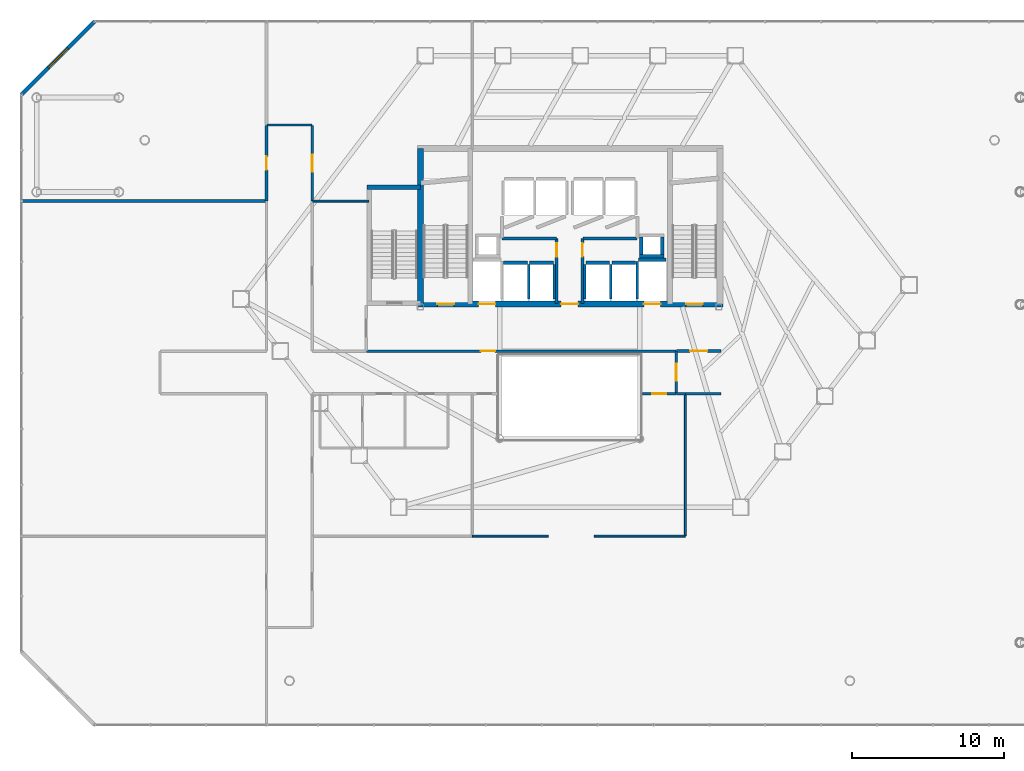
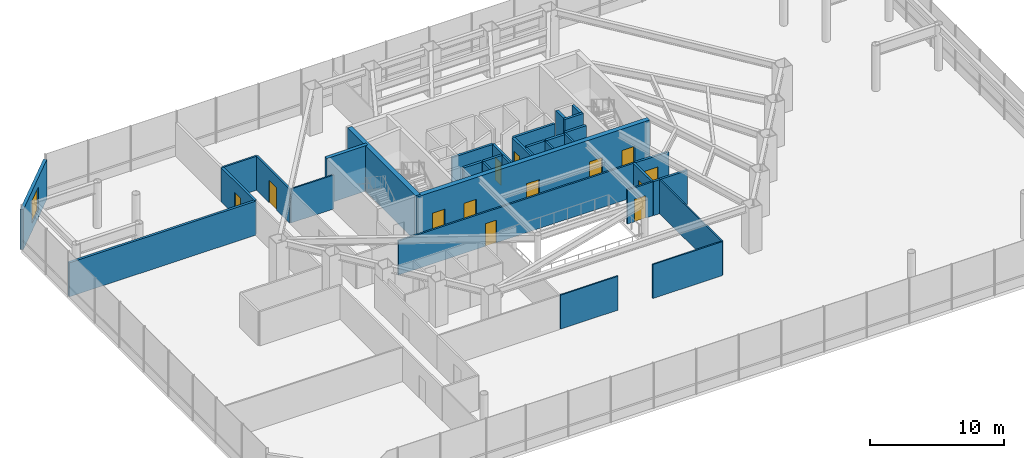
# One storey, part 35 of 37: 35 walls, 13 doors, 1 window, 14 openings.
"""IFC4 building model written with IfcOpenShell, lengths in metres."""

from ifc_helpers import new_model, si_unit, direction, frame, frame_2d, origin, place, context, subcontext, project, spatial, rectangle, extrude, material, layer, layer_set, type_object, element, fill, save


model = new_model("IFC4")

# Units and contexts
model_context = context("Model", 3, precision=1e-05, world=origin(), true_north=direction((0.0, 1.0)))
body_context = subcontext(model_context, "Body", "Model", "MODEL_VIEW")
ifc_project = project(units=[si_unit("LENGTHUNIT", "METRE"), si_unit("AREAUNIT", "SQUARE_METRE"), si_unit("VOLUMEUNIT", "CUBIC_METRE"), si_unit("PLANEANGLEUNIT", "RADIAN"), si_unit("MASSUNIT", "GRAM", prefix="KILO")], contexts=[model_context])

# Site, building, storey
site_placement = place(None, origin())
site = spatial("IfcSite", under=ifc_project, at=site_placement, CompositionType="ELEMENT")
building_placement = place(site_placement, origin())
building = spatial("IfcBuilding", under=site, at=building_placement, Name="Zarrinselat Tower", CompositionType="ELEMENT")
storey_placement = place(building_placement, frame((0.0, 0.0, 9.52001953125)))
storey = spatial("IfcBuildingStorey", under=building, at=storey_placement, Name="L02", CompositionType="ELEMENT", Elevation=9.52001953125)

# Wall, opening, window
ifc_material_1 = material(Name="Honed Cream Travertine Stone", Category="masonry")
ifc_layer_1 = layer(ifc_material_1, 0.260009765625)
ifc_layer_set_1 = layer_set([ifc_layer_1], Name="Honed Cream Travertine Stone")
wall_type_1 = type_object("IfcWallType", Name="WAL-EXT-STONE-260", PredefinedType="STANDARD", material=ifc_layer_set_1)
wall_1_placement = place(storey_placement, frame((2.39990234375, 47.0, 0.0), z_axis=(0.0, 0.0, 1.0), x_axis=(0.707106781187, 0.707106781187, 0.0)))
wall_1 = element("IfcWall", 1, at=wall_1_placement, inside=storey, type_object=wall_type_1, Name="L02 Chamfered Stone Corner Wall 5", PredefinedType="STANDARD", context=body_context, shape_type="SweptSolid", body=[
    extrude(rectangle(XDim=6.788330078125, YDim=0.260009765625, at=frame_2d((3.39404296875, 0.0))), origin(), (0.0, 0.0, 1.0), 3.64990234375),
])
opening_1_placement = place(wall_1_placement, frame((2.494140625, 0.0, 0.699951171875)))
opening_1 = element("IfcOpeningElement", 2, at=opening_1_placement, cuts=wall_1, Name="Opening WN-2", PredefinedType="OPENING", context=body_context, shape_type="SweptSolid", body=[
    extrude(rectangle(XDim=1.800048828125, YDim=2.10009765625, at=frame_2d((0.89990234375, 1.050048828125))), frame((0.0, 0.139892578125, 0.0), z_axis=(0.0, -1.0, 0.0), x_axis=(1.0, 0.0, 0.0)), (0.0, 0.0, 1.0), 0.280029296875),
])
ifc_material_2 = material(Name="Double Low-E Laminated Solar Glass", Category="glass")
window_type = type_object("IfcWindowType", Name="WIN-GALLERY-1800", PartitioningType="SINGLE_PANEL", PredefinedType="WINDOW", material=ifc_material_2)
window_placement = place(opening_1_placement, origin())
window = element("IfcWindow", 3, at=window_placement, inside=storey, type_object=window_type, Name="L02 Corner Gallery Window 5", OverallHeight=2.10009765625, OverallWidth=1.800048828125, PartitioningType="SINGLE_PANEL", PredefinedType="WINDOW", context=body_context, shape_type="SweptSolid", body=[
    extrude(rectangle(XDim=1.800048828125, YDim=2.10009765625, at=frame_2d((0.89990234375, 1.050048828125))), frame((0.0, 0.030029296875, 0.0), z_axis=(0.0, -1.0, 0.0), x_axis=(1.0, 0.0, 0.0)), (0.0, 0.0, 1.0), 0.06005859375),
])
fill(opening_1, window)

# Wall, opening, door
ifc_material_3 = material(Name="Concrete C40/50", Category="concrete")
ifc_layer_2 = layer(ifc_material_3, 0.18994140625)
ifc_layer_set_2 = layer_set([ifc_layer_2], Name="Concrete C40/50")
wall_type_2 = type_object("IfcWallType", Name="WAL-PART-EI120", PredefinedType="PARTITIONING", material=ifc_layer_set_2)
wall_2_placement = place(storey_placement, frame((45.405029296875, 30.14990234375, 0.0), z_axis=(0.0, 0.0, 1.0), x_axis=(1.0, 0.0, 0.0)))
wall_2 = element("IfcWall", 4, at=wall_2_placement, inside=storey, type_object=wall_type_2, Name="L02 Partition Wall 7", PredefinedType="PARTITIONING", context=body_context, shape_type="SweptSolid", body=[
    extrude(rectangle(XDim=2.945068359375, YDim=0.18994140625, at=frame_2d((1.47265625, 0.0))), origin(), (0.0, 0.0, 1.0), 3.096923828125),
])
opening_2_placement = place(wall_2_placement, frame((0.91259765625, 0.0, 0.0)))
opening_2 = element("IfcOpeningElement", 5, at=opening_2_placement, cuts=wall_2, Name="Opening ID-02", PredefinedType="OPENING", context=body_context, shape_type="SweptSolid", body=[
    extrude(rectangle(XDim=1.1201171875, YDim=2.050048828125, at=frame_2d((0.56005859375, 1.02490234375))), frame((0.0, 0.10498046875, 0.0), z_axis=(0.0, -1.0, 0.0), x_axis=(1.0, 0.0, 0.0)), (0.0, 0.0, 1.0), 0.2099609375),
])
ifc_material_4 = material(Name="Steel S355J2", Category="steel")
door_type_1 = type_object("IfcDoorType", Name="DR-INT-FD60-W", OperationType="NOTDEFINED", PredefinedType="DOOR", material=ifc_material_4)
door_1_placement = place(opening_2_placement, origin())
door_1 = element("IfcDoor", 6, at=door_1_placement, inside=storey, type_object=door_type_1, Name="L02 Interior Door P7", OperationType="SINGLE_SWING_RIGHT", OverallHeight=2.050048828125, OverallWidth=1.1201171875, PredefinedType="DOOR", context=body_context, shape_type="SweptSolid", body=[
    extrude(rectangle(XDim=1.1201171875, YDim=2.050048828125, at=frame_2d((0.56005859375, 1.02490234375))), frame((0.0, 0.02490234375, 0.0), z_axis=(0.0, -1.0, 0.0), x_axis=(1.0, 0.0, 0.0)), (0.0, 0.0, 1.0), 0.050048828125),
])
fill(opening_2, door_1)

wall_3_placement = place(storey_placement, frame((45.39990234375, 27.3701171875, 0.0), z_axis=(0.0, 0.0, 1.0), x_axis=(0.0, 1.0, 0.0)))
wall_3 = element("IfcWall", 7, at=wall_3_placement, inside=storey, type_object=wall_type_2, Name="L02 Partition Wall 10", PredefinedType="PARTITIONING", context=body_context, shape_type="SweptSolid", body=[
    extrude(rectangle(XDim=2.759765625, YDim=0.18994140625, at=frame_2d((1.3798828125, 0.0))), origin(), (0.0, 0.0, 1.0), 3.096923828125),
])
opening_3_placement = place(wall_3_placement, frame((0.820068359375, 0.0, 0.0)))
opening_3 = element("IfcOpeningElement", 8, at=opening_3_placement, cuts=wall_3, Name="Opening ID-02", PredefinedType="OPENING", context=body_context, shape_type="SweptSolid", body=[
    extrude(rectangle(XDim=1.1201171875, YDim=2.050048828125, at=frame_2d((0.56005859375, 1.02490234375))), frame((0.0, 0.10498046875, 0.0), z_axis=(0.0, -1.0, 0.0), x_axis=(1.0, 0.0, 0.0)), (0.0, 0.0, 1.0), 0.2099609375),
])
door_2_placement = place(opening_3_placement, origin())
door_2 = element("IfcDoor", 9, at=door_2_placement, inside=storey, type_object=door_type_1, Name="L02 Interior Door P10", OperationType="SINGLE_SWING_LEFT", OverallHeight=2.050048828125, OverallWidth=1.1201171875, PredefinedType="DOOR", context=body_context, shape_type="SweptSolid", body=[
    extrude(rectangle(XDim=1.1201171875, YDim=2.050048828125, at=frame_2d((0.56005859375, 1.02490234375))), frame((0.0, 0.02490234375, 0.0), z_axis=(0.0, -1.0, 0.0), x_axis=(1.0, 0.0, 0.0)), (0.0, 0.0, 1.0), 0.050048828125),
])
fill(opening_3, door_2)

# Walls
wall_4_placement = place(storey_placement, frame((46.0048828125, 27.35009765625, 0.0), z_axis=(0.0, 0.0, 1.0), x_axis=(1.0, 0.0, 0.0)))
element("IfcWall", 10, at=wall_4_placement, inside=storey, type_object=wall_type_2, Name="L02 Partition Wall 11", PredefinedType="PARTITIONING", context=body_context, shape_type="SweptSolid", body=[
    extrude(rectangle(XDim=2.34521484375, YDim=0.18994140625, at=frame_2d((1.172607421875, 0.0))), origin(), (0.0, 0.0, 1.0), 3.096923828125),
])
wall_5_placement = place(storey_placement, frame((45.419921875, 27.35009765625, 0.0), z_axis=(0.0, 0.0, 1.0), x_axis=(1.0, 0.0, 0.0)))
element("IfcWall", 11, at=wall_5_placement, inside=storey, type_object=wall_type_2, Name="L02 Partition Wall 12", PredefinedType="PARTITIONING", context=body_context, shape_type="SweptSolid", body=[
    extrude(rectangle(XDim=0.5751953125, YDim=0.18994140625, at=frame_2d((0.28759765625, 0.0))), origin(), (0.0, 0.0, 1.0), 3.096923828125),
])

# Wall, opening, door
ifc_material_5 = material(Name="Fire-Rated Gypsum Board Partition", Category="gypsum")
ifc_layer_3 = layer(ifc_material_5, 0.14990234375)
ifc_layer_set_3 = layer_set([ifc_layer_3], Name="Fire-Rated Gypsum Board Partition")
wall_type_3 = type_object("IfcWallType", Name="WAL-PART-EI60", PredefinedType="PARTITIONING", material=ifc_layer_set_3)
wall_6_placement = place(storey_placement, frame((25.070068359375, 30.14990234375, 0.0), z_axis=(0.0, 0.0, 1.0), x_axis=(1.0, 0.0, 0.0)))
wall_6 = element("IfcWall", 12, at=wall_6_placement, inside=storey, type_object=wall_type_3, Name="L02 Partition Wall 8", PredefinedType="PARTITIONING", context=body_context, shape_type="SweptSolid", body=[
    extrude(rectangle(XDim=20.324951171875, YDim=0.14990234375, at=frame_2d((10.16259765625, 0.0))), origin(), (0.0, 0.0, 1.0), 3.096923828125),
])
opening_4_placement = place(wall_6_placement, frame((7.492431640625, 0.0, 0.0)))
opening_4 = element("IfcOpeningElement", 13, at=opening_4_placement, cuts=wall_6, Name="Opening ID-04", PredefinedType="OPENING", context=body_context, shape_type="SweptSolid", body=[
    extrude(rectangle(XDim=0.93994140625, YDim=2.050048828125, at=frame_2d((0.469970703125, 1.02490234375))), frame((0.0, 0.0849609375, 0.0), z_axis=(0.0, -1.0, 0.0), x_axis=(1.0, 0.0, 0.0)), (0.0, 0.0, 1.0), 0.169921875),
])
ifc_material_6 = material(Name="Fire-Rated Gypsum Board Partition")
door_type_2 = type_object("IfcDoorType", Name="DR-INT-FD30-ENT", OperationType="NOTDEFINED", PredefinedType="DOOR", material=ifc_material_6)
door_3_placement = place(opening_4_placement, origin())
door_3 = element("IfcDoor", 14, at=door_3_placement, inside=storey, type_object=door_type_2, Name="L02 Interior Door P8", OperationType="SINGLE_SWING_LEFT", OverallHeight=2.050048828125, OverallWidth=0.93994140625, PredefinedType="DOOR", context=body_context, shape_type="SweptSolid", body=[
    extrude(rectangle(XDim=0.93994140625, YDim=2.050048828125, at=frame_2d((0.469970703125, 1.02490234375))), frame((0.0, 0.02490234375, 0.0), z_axis=(0.0, -1.0, 0.0), x_axis=(1.0, 0.0, 0.0)), (0.0, 0.0, 1.0), 0.050048828125),
])
fill(opening_4, door_3)

wall_7_placement = place(storey_placement, frame((43.179931640625, 27.35009765625, 0.0), z_axis=(0.0, 0.0, 1.0), x_axis=(1.0, 0.0, 0.0)))
wall_7 = element("IfcWall", 15, at=wall_7_placement, inside=storey, type_object=wall_type_3, Name="L02 Partition Wall 24", PredefinedType="PARTITIONING", context=body_context, shape_type="SweptSolid", body=[
    extrude(rectangle(XDim=2.199951171875, YDim=0.14990234375, at=frame_2d((1.10009765625, 0.0))), origin(), (0.0, 0.0, 1.0), 3.096923828125),
])
opening_5_placement = place(wall_7_placement, frame((0.6298828125, 0.0, 0.0)))
opening_5 = element("IfcOpeningElement", 16, at=opening_5_placement, cuts=wall_7, Name="Opening ID-04", PredefinedType="OPENING", context=body_context, shape_type="SweptSolid", body=[
    extrude(rectangle(XDim=0.93994140625, YDim=2.050048828125, at=frame_2d((0.469970703125, 1.02490234375))), frame((0.0, 0.0849609375, 0.0), z_axis=(0.0, -1.0, 0.0), x_axis=(1.0, 0.0, 0.0)), (0.0, 0.0, 1.0), 0.169921875),
])
door_4_placement = place(opening_5_placement, origin())
door_4 = element("IfcDoor", 17, at=door_4_placement, inside=storey, type_object=door_type_2, Name="L02 Interior Door P24", OperationType="SINGLE_SWING_RIGHT", OverallHeight=2.050048828125, OverallWidth=0.93994140625, PredefinedType="DOOR", context=body_context, shape_type="SweptSolid", body=[
    extrude(rectangle(XDim=0.93994140625, YDim=2.050048828125, at=frame_2d((0.469970703125, 1.02490234375))), frame((0.0, 0.02490234375, 0.0), z_axis=(0.0, -1.0, 0.0), x_axis=(1.0, 0.0, 0.0)), (0.0, 0.0, 1.0), 0.050048828125),
])
fill(opening_5, door_4)

# Wall
wall_8_placement = place(storey_placement, frame((18.52001953125, 45.0, 0.0), z_axis=(0.0, 0.0, 1.0), x_axis=(1.0, 0.0, 0.0)))
element("IfcWall", 18, at=wall_8_placement, inside=storey, type_object=wall_type_3, Name="L02 Partition Wall 34", PredefinedType="PARTITIONING", context=body_context, shape_type="SweptSolid", body=[
    extrude(rectangle(XDim=2.9599609375, YDim=0.14990234375, at=frame_2d((1.47998046875, 0.0))), origin(), (0.0, 0.0, 1.0), 3.096923828125),
])

# Wall, opening, door
wall_9_placement = place(storey_placement, frame((21.5, 40.0048828125, 0.0), z_axis=(0.0, 0.0, 1.0), x_axis=(0.0, 1.0, 0.0)))
wall_9 = element("IfcWall", 19, at=wall_9_placement, inside=storey, type_object=wall_type_3, Name="L02 Partition Wall 35", PredefinedType="PARTITIONING", context=body_context, shape_type="SweptSolid", body=[
    extrude(rectangle(XDim=4.97509765625, YDim=0.14990234375, at=frame_2d((2.487548828125, 0.0))), origin(), (0.0, 0.0, 1.0), 3.096923828125),
])
opening_6_placement = place(wall_9_placement, frame((1.927490234375, 0.0, 0.0)))
opening_6 = element("IfcOpeningElement", 20, at=opening_6_placement, cuts=wall_9, Name="Opening ID-02", PredefinedType="OPENING", context=body_context, shape_type="SweptSolid", body=[
    extrude(rectangle(XDim=1.1201171875, YDim=2.050048828125, at=frame_2d((0.56005859375, 1.02490234375))), frame((0.0, 0.0849609375, 0.0), z_axis=(0.0, -1.0, 0.0), x_axis=(1.0, 0.0, 0.0)), (0.0, 0.0, 1.0), 0.169921875),
])
door_5_placement = place(opening_6_placement, origin())
door_5 = element("IfcDoor", 21, at=door_5_placement, inside=storey, type_object=door_type_1, Name="L02 Interior Door P35", OperationType="SINGLE_SWING_RIGHT", OverallHeight=2.050048828125, OverallWidth=1.1201171875, PredefinedType="DOOR", context=body_context, shape_type="SweptSolid", body=[
    extrude(rectangle(XDim=1.1201171875, YDim=2.050048828125, at=frame_2d((0.56005859375, 1.02490234375))), frame((0.0, 0.02490234375, 0.0), z_axis=(0.0, -1.0, 0.0), x_axis=(1.0, 0.0, 0.0)), (0.0, 0.0, 1.0), 0.050048828125),
])
fill(opening_6, door_5)

ifc_material_7 = material(Name="Concrete C40/50", Category="concrete")
ifc_layer_4 = layer(ifc_material_7, 0.199951171875)
ifc_layer_set_4 = layer_set([ifc_layer_4], Name="Concrete C40/50")
wall_type_4 = type_object("IfcWallType", Name="WAL-PART-PLANT", PredefinedType="PARTITIONING", material=ifc_layer_set_4)
wall_10_placement = place(storey_placement, frame((37.550048828125, 33.264892578125, 0.0), z_axis=(0.0, 0.0, 1.0), x_axis=(0.0, 1.0, 0.0)))
wall_10 = element("IfcWall", 22, at=wall_10_placement, inside=storey, type_object=wall_type_4, Name="L02 Partition Wall 1", PredefinedType="PARTITIONING", context=body_context, shape_type="SweptSolid", body=[
    extrude(rectangle(XDim=4.26513671875, YDim=0.199951171875, at=frame_2d((2.132568359375, 0.0))), origin(), (0.0, 0.0, 1.0), 3.096923828125),
])
opening_7_placement = place(wall_10_placement, frame((3.092529296875, 0.0, 0.0)))
opening_7 = element("IfcOpeningElement", 23, at=opening_7_placement, cuts=wall_10, Name="Opening ID-03", PredefinedType="OPENING", context=body_context, shape_type="SweptSolid", body=[
    extrude(rectangle(XDim=0.8798828125, YDim=2.050048828125, at=frame_2d((0.43994140625, 1.02490234375))), frame((0.0, 0.10986328125, 0.0), z_axis=(0.0, -1.0, 0.0), x_axis=(1.0, 0.0, 0.0)), (0.0, 0.0, 1.0), 0.219970703125),
])
ifc_material_8 = material(Name="Steel S355J2", Category="steel")
door_type_3 = type_object("IfcDoorType", Name="DR-INT-FD60-S", OperationType="NOTDEFINED", PredefinedType="DOOR", material=ifc_material_8)
door_6_placement = place(opening_7_placement, origin())
door_6 = element("IfcDoor", 24, at=door_6_placement, inside=storey, type_object=door_type_3, Name="L02 Interior Door P1", OperationType="SINGLE_SWING_RIGHT", OverallHeight=2.050048828125, OverallWidth=0.8798828125, PredefinedType="DOOR", context=body_context, shape_type="SweptSolid", body=[
    extrude(rectangle(XDim=0.8798828125, YDim=2.050048828125, at=frame_2d((0.43994140625, 1.02490234375))), frame((0.0, 0.02490234375, 0.0), z_axis=(0.0, -1.0, 0.0), x_axis=(1.0, 0.0, 0.0)), (0.0, 0.0, 1.0), 0.050048828125),
])
fill(opening_7, door_6)

# Walls
for number, where, z_axis, x_axis, name in (
    (25, (33.969970703125, 37.550048828125, 0.0), (0.0, 0.0, 1.0), (1.0, 0.0, 0.0), "L02 Partition Wall 2"),
    (26, (39.27001953125, 37.550048828125, 0.0), (0.0, 0.0, 1.0), (1.0, 0.0, 0.0), "L02 Partition Wall 5"),
):
    element("IfcWall", number, at=place(storey_placement, frame(where, z_axis=z_axis, x_axis=x_axis)), inside=storey, type_object=wall_type_4, Name=name, PredefinedType="PARTITIONING", context=body_context, shape_type="SweptSolid", body=[
        extrude(rectangle(XDim=3.56005859375, YDim=0.199951171875, at=frame_2d((1.780029296875, 0.0))), origin(), (0.0, 0.0, 1.0), 3.096923828125),
    ])

# Wall, opening, door
wall_11_placement = place(storey_placement, frame((39.25, 33.264892578125, 0.0), z_axis=(0.0, 0.0, 1.0), x_axis=(0.0, 1.0, 0.0)))
wall_11 = element("IfcWall", 27, at=wall_11_placement, inside=storey, type_object=wall_type_4, Name="L02 Partition Wall 6", PredefinedType="PARTITIONING", context=body_context, shape_type="SweptSolid", body=[
    extrude(rectangle(XDim=4.26513671875, YDim=0.199951171875, at=frame_2d((2.132568359375, 0.0))), origin(), (0.0, 0.0, 1.0), 3.096923828125),
])
opening_8_placement = place(wall_11_placement, frame((3.092529296875, 0.0, 0.0)))
opening_8 = element("IfcOpeningElement", 28, at=opening_8_placement, cuts=wall_11, Name="Opening ID-03", PredefinedType="OPENING", context=body_context, shape_type="SweptSolid", body=[
    extrude(rectangle(XDim=0.8798828125, YDim=2.050048828125, at=frame_2d((0.43994140625, 1.02490234375))), frame((0.0, 0.10986328125, 0.0), z_axis=(0.0, -1.0, 0.0), x_axis=(1.0, 0.0, 0.0)), (0.0, 0.0, 1.0), 0.219970703125),
])
door_7_placement = place(opening_8_placement, origin())
door_7 = element("IfcDoor", 29, at=door_7_placement, inside=storey, type_object=door_type_3, Name="L02 Interior Door P6", OperationType="SINGLE_SWING_LEFT", OverallHeight=2.050048828125, OverallWidth=0.8798828125, PredefinedType="DOOR", context=body_context, shape_type="SweptSolid", body=[
    extrude(rectangle(XDim=0.8798828125, YDim=2.050048828125, at=frame_2d((0.43994140625, 1.02490234375))), frame((0.0, 0.02490234375, 0.0), z_axis=(0.0, -1.0, 0.0), x_axis=(1.0, 0.0, 0.0)), (0.0, 0.0, 1.0), 0.050048828125),
])
fill(opening_8, door_7)

wall_12_placement = place(storey_placement, frame((18.5, 40.0048828125, 0.0), z_axis=(0.0, 0.0, 1.0), x_axis=(0.0, 1.0, 0.0)))
wall_12 = element("IfcWall", 30, at=wall_12_placement, inside=storey, type_object=wall_type_4, Name="L02 Partition Wall 33", PredefinedType="PARTITIONING", context=body_context, shape_type="SweptSolid", body=[
    extrude(rectangle(XDim=4.97509765625, YDim=0.199951171875, at=frame_2d((2.487548828125, 0.0))), origin(), (0.0, 0.0, 1.0), 3.096923828125),
])
opening_9_placement = place(wall_12_placement, frame((2.047607421875, 0.0, 0.0)))
opening_9 = element("IfcOpeningElement", 31, at=opening_9_placement, cuts=wall_12, Name="Opening ID-03", PredefinedType="OPENING", context=body_context, shape_type="SweptSolid", body=[
    extrude(rectangle(XDim=0.8798828125, YDim=2.050048828125, at=frame_2d((0.43994140625, 1.02490234375))), frame((0.0, 0.10986328125, 0.0), z_axis=(0.0, -1.0, 0.0), x_axis=(1.0, 0.0, 0.0)), (0.0, 0.0, 1.0), 0.219970703125),
])
door_8_placement = place(opening_9_placement, origin())
door_8 = element("IfcDoor", 32, at=door_8_placement, inside=storey, type_object=door_type_3, Name="L02 Interior Door P33", OperationType="SINGLE_SWING_LEFT", OverallHeight=2.050048828125, OverallWidth=0.8798828125, PredefinedType="DOOR", context=body_context, shape_type="SweptSolid", body=[
    extrude(rectangle(XDim=0.8798828125, YDim=2.050048828125, at=frame_2d((0.43994140625, 1.02490234375))), frame((0.0, 0.02490234375, 0.0), z_axis=(0.0, -1.0, 0.0), x_axis=(1.0, 0.0, 0.0)), (0.0, 0.0, 1.0), 0.050048828125),
])
fill(opening_9, door_8)

# Walls
wall_13_placement = place(storey_placement, frame((2.4150390625, 40.0, 0.0), z_axis=(0.0, 0.0, 1.0), x_axis=(1.0, 0.0, 0.0)))
element("IfcWall", 33, at=wall_13_placement, inside=storey, type_object=wall_type_4, Name="L02 Partition Wall 51", PredefinedType="PARTITIONING", context=body_context, shape_type="SweptSolid", body=[
    extrude(rectangle(XDim=16.06494140625, YDim=0.199951171875, at=frame_2d((8.032470703125, 0.0))), origin(), (0.0, 0.0, 1.0), 3.096923828125),
])
ifc_material_9 = material(Name="Fire-Rated Gypsum Board Partition", Category="gypsum")
ifc_layer_5 = layer(ifc_material_9, 0.1201171875)
ifc_layer_set_5 = layer_set([ifc_layer_5], Name="Fire-Rated Gypsum Board Partition")
wall_type_5 = type_object("IfcWallType", Name="WAL-PART-STD", PredefinedType="PARTITIONING", material=ifc_layer_set_5)
wall_14_placement = place(storey_placement, frame((32.02001953125, 18.0, 0.0), z_axis=(0.0, 0.0, 1.0), x_axis=(1.0, 0.0, 0.0)))
element("IfcWall", 34, at=wall_14_placement, inside=storey, type_object=wall_type_5, Name="L02 Partition Wall 45", PredefinedType="PARTITIONING", context=body_context, shape_type="SweptSolid", body=[
    extrude(rectangle(XDim=4.97998046875, YDim=0.1201171875, at=frame_2d((2.489990234375, 0.0))), origin(), (0.0, 0.0, 1.0), 3.096923828125),
])
wall_15_placement = place(storey_placement, frame((46.0, 18.02001953125, 0.0), z_axis=(0.0, 0.0, 1.0), x_axis=(0.0, 1.0, 0.0)))
element("IfcWall", 35, at=wall_15_placement, inside=storey, type_object=wall_type_5, Name="L02 Partition Wall 46", PredefinedType="PARTITIONING", context=body_context, shape_type="SweptSolid", body=[
    extrude(rectangle(XDim=9.31005859375, YDim=0.1201171875, at=frame_2d((4.655029296875, 0.0))), origin(), (0.0, 0.0, 1.0), 3.096923828125),
])
wall_16_placement = place(storey_placement, frame((40.0, 18.0, 0.0), z_axis=(0.0, 0.0, 1.0), x_axis=(1.0, 0.0, 0.0)))
element("IfcWall", 36, at=wall_16_placement, inside=storey, type_object=wall_type_5, Name="L02 Partition Wall 47", PredefinedType="PARTITIONING", context=body_context, shape_type="SweptSolid", body=[
    extrude(rectangle(XDim=5.97998046875, YDim=0.1201171875, at=frame_2d((2.989990234375, 0.0))), origin(), (0.0, 0.0, 1.0), 3.096923828125),
])
wall_17_placement = place(storey_placement, frame((21.52001953125, 40.0, 0.0), z_axis=(0.0, 0.0, 1.0), x_axis=(1.0, 0.0, 0.0)))
element("IfcWall", 37, at=wall_17_placement, inside=storey, type_object=wall_type_5, Name="L02 Partition Wall 52", PredefinedType="PARTITIONING", context=body_context, shape_type="SweptSolid", body=[
    extrude(rectangle(XDim=3.695068359375, YDim=0.1201171875, at=frame_2d((1.84765625, 0.0))), origin(), (0.0, 0.0, 1.0), 3.096923828125),
])
ifc_material_10 = material(Name="Concrete C40/50", Category="concrete")
ifc_layer_6 = layer(ifc_material_10, 0.2099609375)
ifc_layer_set_6 = layer_set([ifc_layer_6], Name="Concrete C40/50")
wall_type_6 = type_object("IfcWallType", Name="WAL-SHAFT-210", PredefinedType="SOLIDWALL", material=ifc_layer_set_6)
wall_18_placement = place(storey_placement, frame((42.919921875, 36.155029296875, 0.0), z_axis=(0.0, 0.0, 1.0), x_axis=(1.0, 0.0, 0.0)))
element("IfcWall", 38, at=wall_18_placement, inside=storey, type_object=wall_type_6, Name="L02 Lift FFL2 North Shaft Wall", PredefinedType="SOLIDWALL", context=body_context, shape_type="SweptSolid", body=[
    extrude(rectangle(XDim=1.800048828125, YDim=0.2099609375, at=frame_2d((0.89990234375, 0.0))), origin(), (0.0, 0.0, 1.0), 3.112060546875),
])
wall_19_placement = place(storey_placement, frame((42.85009765625, 33.580078125, 0.0), z_axis=(0.0, 0.0, 1.0), x_axis=(0.0, 1.0, 0.0)))
element("IfcWall", 39, at=wall_19_placement, inside=storey, type_object=wall_type_6, Name="L02 Lift FFL2 W Shaft Wall", PredefinedType="SOLIDWALL", context=body_context, shape_type="SweptSolid", body=[
    extrude(rectangle(XDim=2.449951171875, YDim=0.159912109375, at=frame_2d((1.22509765625, 0.0))), origin(), (0.0, 0.0, 1.0), 3.112060546875),
])
wall_20_placement = place(storey_placement, frame((34.070068359375, 35.955078125, 0.0), z_axis=(0.0, 0.0, 1.0), x_axis=(1.0, 0.0, 0.0)))
element("IfcWall", 40, at=wall_20_placement, inside=storey, type_object=wall_type_6, Name="L02 Lift PL5 North Shaft Wall", PredefinedType="SOLIDWALL", context=body_context, shape_type="SweptSolid", body=[
    extrude(rectangle(XDim=1.559814453125, YDim=0.2099609375, at=frame_2d((0.77978515625, 0.0))), origin(), (0.0, 0.0, 1.0), 3.112060546875),
])
wall_21_placement = place(storey_placement, frame((35.699951171875, 33.580078125, 0.0), z_axis=(0.0, 0.0, 1.0), x_axis=(0.0, 1.0, 0.0)))
element("IfcWall", 41, at=wall_21_placement, inside=storey, type_object=wall_type_6, Name="L02 Lift PL5 E Shaft Wall", PredefinedType="SOLIDWALL", context=body_context, shape_type="SweptSolid", body=[
    extrude(rectangle(XDim=2.25, YDim=0.159912109375, at=frame_2d((1.125, 0.0))), origin(), (0.0, 0.0, 1.0), 3.112060546875),
])
wall_22_placement = place(storey_placement, frame((35.77001953125, 35.955078125, 0.0), z_axis=(0.0, 0.0, 1.0), x_axis=(1.0, 0.0, 0.0)))
element("IfcWall", 42, at=wall_22_placement, inside=storey, type_object=wall_type_6, Name="L02 Lift PL6 North Shaft Wall", PredefinedType="SOLIDWALL", context=body_context, shape_type="SweptSolid", body=[
    extrude(rectangle(XDim=1.56005859375, YDim=0.2099609375, at=frame_2d((0.780029296875, 0.0))), origin(), (0.0, 0.0, 1.0), 3.112060546875),
])
wall_23_placement = place(storey_placement, frame((37.39990234375, 33.580078125, 0.0), z_axis=(0.0, 0.0, 1.0), x_axis=(0.0, 1.0, 0.0)))
element("IfcWall", 43, at=wall_23_placement, inside=storey, type_object=wall_type_6, Name="L02 Lift PL6 E Shaft Wall", PredefinedType="SOLIDWALL", context=body_context, shape_type="SweptSolid", body=[
    extrude(rectangle(XDim=2.25, YDim=0.159912109375, at=frame_2d((1.125, 0.0))), origin(), (0.0, 0.0, 1.0), 3.112060546875),
])
wall_24_placement = place(storey_placement, frame((39.469970703125, 35.955078125, 0.0), z_axis=(0.0, 0.0, 1.0), x_axis=(1.0, 0.0, 0.0)))
element("IfcWall", 44, at=wall_24_placement, inside=storey, type_object=wall_type_6, Name="L02 Lift PL8 North Shaft Wall", PredefinedType="SOLIDWALL", context=body_context, shape_type="SweptSolid", body=[
    extrude(rectangle(XDim=1.56005859375, YDim=0.2099609375, at=frame_2d((0.780029296875, 0.0))), origin(), (0.0, 0.0, 1.0), 3.112060546875),
])
for number, where, z_axis, x_axis, name in (
    (45, (39.39990234375, 33.580078125, 0.0), (0.0, 0.0, 1.0), (0.0, 1.0, 0.0), "L02 Lift PL8 W Shaft Wall"),
    (46, (41.10009765625, 33.580078125, 0.0), (0.0, 0.0, 1.0), (0.0, 1.0, 0.0), "L02 Lift PL8 E Shaft Wall"),
):
    element("IfcWall", number, at=place(storey_placement, frame(where, z_axis=z_axis, x_axis=x_axis)), inside=storey, type_object=wall_type_6, Name=name, PredefinedType="SOLIDWALL", context=body_context, shape_type="SweptSolid", body=[
        extrude(rectangle(XDim=2.25, YDim=0.159912109375, at=frame_2d((1.125, 0.0))), origin(), (0.0, 0.0, 1.0), 3.112060546875),
    ])
wall_25_placement = place(storey_placement, frame((41.169921875, 35.955078125, 0.0), z_axis=(0.0, 0.0, 1.0), x_axis=(1.0, 0.0, 0.0)))
element("IfcWall", 47, at=wall_25_placement, inside=storey, type_object=wall_type_6, Name="L02 Lift PL9 North Shaft Wall", PredefinedType="SOLIDWALL", context=body_context, shape_type="SweptSolid", body=[
    extrude(rectangle(XDim=1.56005859375, YDim=0.2099609375, at=frame_2d((0.780029296875, 0.0))), origin(), (0.0, 0.0, 1.0), 3.112060546875),
])
wall_26_placement = place(storey_placement, frame((42.989990234375, 36.375, 0.0), z_axis=(0.0, 0.0, 1.0), x_axis=(1.0, 0.0, 0.0)))
element("IfcWall", 48, at=wall_26_placement, inside=storey, type_object=wall_type_6, Name="L02 Core Riser RSR-E S Shaft Wall", PredefinedType="SOLIDWALL", context=body_context, shape_type="SweptSolid", body=[
    extrude(rectangle(XDim=1.60009765625, YDim=0.2099609375, at=frame_2d((0.800048828125, 0.0))), origin(), (0.0, 0.0, 1.0), 4.139892578125),
])
for number, where, z_axis, x_axis, name in (
    (49, (43.094970703125, 36.485107421875, 0.0), (0.0, 0.0, 1.0), (0.0, 1.0, 0.0), "L02 Core Riser RSR-E W Shaft Wall"),
    (50, (44.485107421875, 36.485107421875, 0.0), (0.0, 0.0, 1.0), (0.0, 1.0, 0.0), "L02 Core Riser RSR-E E Shaft Wall"),
):
    element("IfcWall", number, at=place(storey_placement, frame(where, z_axis=z_axis, x_axis=x_axis)), inside=storey, type_object=wall_type_6, Name=name, PredefinedType="SOLIDWALL", context=body_context, shape_type="SweptSolid", body=[
        extrude(rectangle(XDim=1.14990234375, YDim=0.2099609375, at=frame_2d((0.574951171875, 0.0))), origin(), (0.0, 0.0, 1.0), 4.139892578125),
    ])
ifc_material_11 = material(Name="Concrete C40/50", Category="concrete")
ifc_layer_7 = layer(ifc_material_11, 0.300048828125)
ifc_layer_set_7 = layer_set([ifc_layer_7], Name="Concrete C40/50")
wall_type_7 = type_object("IfcWallType", Name="WAL-SHEAR-300", PredefinedType="SHEAR", material=ifc_layer_set_7)
wall_27_placement = place(storey_placement, frame((25.080078125, 40.89990234375, 0.0), z_axis=(0.0, 0.0, 1.0), x_axis=(1.0, 0.0, 0.0)))
element("IfcWall", 51, at=wall_27_placement, inside=storey, type_object=wall_type_7, Name="L02 Stair 3 North Shear Wall", PredefinedType="SHEAR", context=body_context, shape_type="SweptSolid", body=[
    extrude(rectangle(XDim=3.52001953125, YDim=0.300048828125, at=frame_2d((1.760009765625, 0.0))), origin(), (0.0, 0.0, 1.0), 4.139892578125),
])

# Wall, openings, doors
ifc_material_12 = material(Name="Concrete C60/75", Category="concrete")
ifc_layer_8 = layer(ifc_material_12, 0.39990234375)
ifc_layer_set_8 = layer_set([ifc_layer_8], Name="Concrete C60/75")
wall_type_8 = type_object("IfcWallType", Name="WAL-SHEAR-400", PredefinedType="SHEAR", material=ifc_layer_set_8)
wall_28_placement = place(storey_placement, frame((28.39990234375, 33.25, 0.0), z_axis=(0.0, 0.0, 1.0), x_axis=(1.0, 0.0, 0.0)))
wall_28 = element("IfcWall", 52, at=wall_28_placement, inside=storey, type_object=wall_type_8, Name="L02 South Core Shear Wall", PredefinedType="SHEAR", context=body_context, shape_type="SweptSolid", body=[
    extrude(rectangle(XDim=20.06005859375, YDim=0.39990234375, at=frame_2d((10.030029296875, 0.0))), origin(), (0.0, 0.0, 1.0), 4.139892578125),
])
opening_10_placement = place(wall_28_placement, frame((4.030029296875, 0.0, 0.0)))
opening_10 = element("IfcOpeningElement", 53, at=opening_10_placement, cuts=wall_28, Name="Opening LD-FFL1", PredefinedType="OPENING", context=body_context, shape_type="SweptSolid", body=[
    extrude(rectangle(XDim=1.10009765625, YDim=2.14990234375, at=frame_2d((0.550048828125, 1.074951171875))), frame((0.0, 0.2099609375, 0.0), z_axis=(0.0, -1.0, 0.0), x_axis=(1.0, 0.0, 0.0)), (0.0, 0.0, 1.0), 0.419921875),
])
opening_11_placement = place(wall_28_placement, frame((14.8701171875, 0.0, 0.0)))
opening_11 = element("IfcOpeningElement", 54, at=opening_11_placement, cuts=wall_28, Name="Opening LD-FFL2", PredefinedType="OPENING", context=body_context, shape_type="SweptSolid", body=[
    extrude(rectangle(XDim=1.10009765625, YDim=2.14990234375, at=frame_2d((0.550048828125, 1.074951171875))), frame((0.0, 0.2099609375, 0.0), z_axis=(0.0, -1.0, 0.0), x_axis=(1.0, 0.0, 0.0)), (0.0, 0.0, 1.0), 0.419921875),
])
opening_12_placement = place(wall_28_placement, frame((1.31005859375, 0.0, 0.0)))
opening_12 = element("IfcOpeningElement", 55, at=opening_12_placement, cuts=wall_28, Name="Opening SD-01", PredefinedType="OPENING", context=body_context, shape_type="SweptSolid", body=[
    extrude(rectangle(XDim=1.10009765625, YDim=2.199951171875, at=frame_2d((0.550048828125, 1.10009765625))), frame((0.0, 0.2099609375, 0.0), z_axis=(0.0, -1.0, 0.0), x_axis=(1.0, 0.0, 0.0)), (0.0, 0.0, 1.0), 0.419921875),
])
opening_13_placement = place(wall_28_placement, frame((9.43994140625, 0.0, 0.0)))
opening_13 = element("IfcOpeningElement", 56, at=opening_13_placement, cuts=wall_28, Name="Opening ID-02", PredefinedType="OPENING", context=body_context, shape_type="SweptSolid", body=[
    extrude(rectangle(XDim=1.1201171875, YDim=2.050048828125, at=frame_2d((0.56005859375, 1.02490234375))), frame((0.0, 0.2099609375, 0.0), z_axis=(0.0, -1.0, 0.0), x_axis=(1.0, 0.0, 0.0)), (0.0, 0.0, 1.0), 0.419921875),
])
opening_14_placement = place(wall_28_placement, frame((17.64990234375, 0.0, 0.0)))
opening_14 = element("IfcOpeningElement", 57, at=opening_14_placement, cuts=wall_28, Name="Opening SD-01", PredefinedType="OPENING", context=body_context, shape_type="SweptSolid", body=[
    extrude(rectangle(XDim=1.10009765625, YDim=2.199951171875, at=frame_2d((0.550048828125, 1.10009765625))), frame((0.0, 0.2099609375, 0.0), z_axis=(0.0, -1.0, 0.0), x_axis=(1.0, 0.0, 0.0)), (0.0, 0.0, 1.0), 0.419921875),
])
door_9_placement = place(opening_13_placement, origin())
door_9 = element("IfcDoor", 58, at=door_9_placement, inside=storey, type_object=door_type_1, Name="L02 Core Service Vestibule Fire Door", OperationType="SINGLE_SWING_RIGHT", OverallHeight=2.050048828125, OverallWidth=1.1201171875, PredefinedType="DOOR", context=body_context, shape_type="SweptSolid", body=[
    extrude(rectangle(XDim=1.1201171875, YDim=2.050048828125, at=frame_2d((0.56005859375, 1.02490234375))), frame((0.0, 0.02490234375, 0.0), z_axis=(0.0, -1.0, 0.0), x_axis=(1.0, 0.0, 0.0)), (0.0, 0.0, 1.0), 0.050048828125),
])
fill(opening_13, door_9)
ifc_material_13 = material(Name="Steel S355J2", Category="steel")
door_type_4 = type_object("IfcDoorType", Name="DR-LIFT-FF-1100", OperationType="NOTDEFINED", PredefinedType="DOOR", material=ifc_material_13)
door_10_placement = place(opening_10_placement, origin())
door_10 = element("IfcDoor", 59, at=door_10_placement, inside=storey, type_object=door_type_4, Name="L02 Lift FFL1 Sliding Landing Door", OperationType="SLIDING_TO_LEFT", OverallHeight=2.14990234375, OverallWidth=1.10009765625, PredefinedType="DOOR", context=body_context, shape_type="SweptSolid", body=[
    extrude(rectangle(XDim=1.10009765625, YDim=2.14990234375, at=frame_2d((0.550048828125, 1.074951171875))), frame((0.0, 0.02490234375, 0.0), z_axis=(0.0, -1.0, 0.0), x_axis=(1.0, 0.0, 0.0)), (0.0, 0.0, 1.0), 0.050048828125),
])
fill(opening_10, door_10)
door_11_placement = place(opening_11_placement, origin())
door_11 = element("IfcDoor", 60, at=door_11_placement, inside=storey, type_object=door_type_4, Name="L02 Lift FFL2 Sliding Landing Door", OperationType="SLIDING_TO_RIGHT", OverallHeight=2.14990234375, OverallWidth=1.10009765625, PredefinedType="DOOR", context=body_context, shape_type="SweptSolid", body=[
    extrude(rectangle(XDim=1.10009765625, YDim=2.14990234375, at=frame_2d((0.550048828125, 1.074951171875))), frame((0.0, 0.02490234375, 0.0), z_axis=(0.0, -1.0, 0.0), x_axis=(1.0, 0.0, 0.0)), (0.0, 0.0, 1.0), 0.050048828125),
])
fill(opening_11, door_11)
ifc_material_14 = material(Name="Steel S355J2", Category="steel")
door_type_5 = type_object("IfcDoorType", Name="DR-STAIR-1100", OperationType="NOTDEFINED", PredefinedType="DOOR", material=ifc_material_14)
door_12_placement = place(opening_12_placement, origin())
door_12 = element("IfcDoor", 61, at=door_12_placement, inside=storey, type_object=door_type_5, Name="L02 Exit Stair 1 Fire Door", OperationType="SINGLE_SWING_LEFT", OverallHeight=2.199951171875, OverallWidth=1.10009765625, PredefinedType="DOOR", context=body_context, shape_type="SweptSolid", body=[
    extrude(rectangle(XDim=1.10009765625, YDim=2.199951171875, at=frame_2d((0.550048828125, 1.10009765625))), frame((0.0, 0.02490234375, 0.0), z_axis=(0.0, -1.0, 0.0), x_axis=(1.0, 0.0, 0.0)), (0.0, 0.0, 1.0), 0.050048828125),
])
fill(opening_12, door_12)
door_13_placement = place(opening_14_placement, origin())
door_13 = element("IfcDoor", 62, at=door_13_placement, inside=storey, type_object=door_type_5, Name="L02 Exit Stair 2 Fire Door", OperationType="SINGLE_SWING_RIGHT", OverallHeight=2.199951171875, OverallWidth=1.10009765625, PredefinedType="DOOR", context=body_context, shape_type="SweptSolid", body=[
    extrude(rectangle(XDim=1.10009765625, YDim=2.199951171875, at=frame_2d((0.550048828125, 1.10009765625))), frame((0.0, 0.02490234375, 0.0), z_axis=(0.0, -1.0, 0.0), x_axis=(1.0, 0.0, 0.0)), (0.0, 0.0, 1.0), 0.050048828125),
])
fill(opening_14, door_13)

# Wall
wall_29_placement = place(storey_placement, frame((28.60009765625, 33.25, 0.0), z_axis=(0.0, 0.0, 1.0), x_axis=(0.0, 1.0, 0.0)))
element("IfcWall", 63, at=wall_29_placement, inside=storey, type_object=wall_type_8, Name="L02 Core Shear Wall W", PredefinedType="SHEAR", context=body_context, shape_type="SweptSolid", body=[
    extrude(rectangle(XDim=10.199951171875, YDim=0.39990234375, at=frame_2d((5.10009765625, 0.0))), origin(), (0.0, 0.0, 1.0), 4.139892578125),
])

save(model, "model.ifc")
